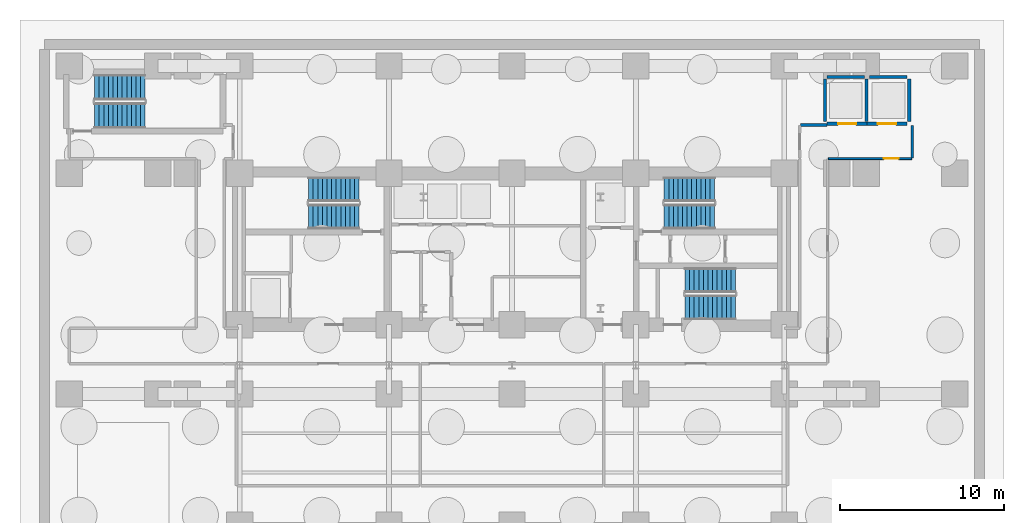
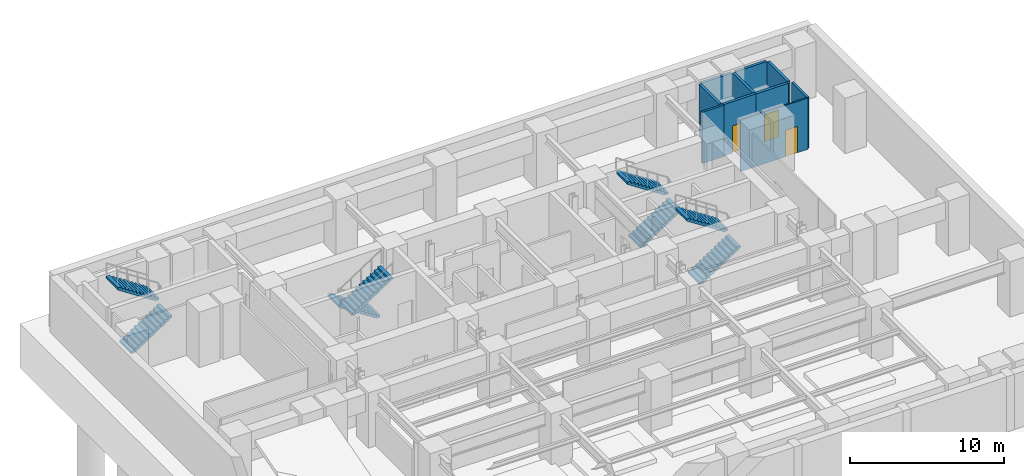
# One storey, part 5 of 9: 10 walls, 8 stair flights, 3 doors, 3 openings, 4 elements without a shape of their own.
"""IFC4 building model written with IfcOpenShell, lengths in metres."""

from ifc_helpers import new_model, si_unit, direction, frame, frame_2d, origin, place, context, subcontext, project, spatial, polyline, rectangle, outline, extrude, material, layer, layer_set, type_object, element, fill, aggregate, save


model = new_model("IFC4")

# Units and contexts
model_context = context("Model", 3, precision=1e-05, world=origin(), true_north=direction((0.0, 1.0)))
body_context = subcontext(model_context, "Body", "Model", "MODEL_VIEW")
ifc_project = project(units=[si_unit("LENGTHUNIT", "METRE"), si_unit("AREAUNIT", "SQUARE_METRE"), si_unit("VOLUMEUNIT", "CUBIC_METRE"), si_unit("PLANEANGLEUNIT", "RADIAN"), si_unit("MASSUNIT", "GRAM", prefix="KILO")], contexts=[model_context])

# Site, building, storey
site_placement = place(None, origin())
site = spatial("IfcSite", under=ifc_project, at=site_placement, CompositionType="ELEMENT")
building_placement = place(site_placement, origin())
building = spatial("IfcBuilding", under=site, at=building_placement, Name="Zarnavel Station Tower", CompositionType="ELEMENT")
storey_placement = place(building_placement, frame((0.0, 0.0, -13.199951171875)))
storey = spatial("IfcBuildingStorey", under=building, at=storey_placement, Name="B03", CompositionType="ELEMENT", Elevation=-13.199951171875)

# Walls
ifc_material_1 = material(Name="Gypsum Twin-Stud Acoustic Fire Partition", Category="concrete")
ifc_layer_1 = layer(ifc_material_1, 0.159912109375)
ifc_layer_set_1 = layer_set([ifc_layer_1], Name="PT_DEMISE_160")
wall_type_1 = type_object("IfcWallType", Name="PT_DEMISE_160", PredefinedType="PARTITIONING", material=ifc_layer_set_1)
wall_1_placement = place(storey_placement, frame((46.3798828125, 40.0, 0.0), z_axis=(0.0, 0.0, 1.0), x_axis=(1.0, 0.0, 0.0)))
element("IfcWall", 1, at=wall_1_placement, inside=storey, type_object=wall_type_1, Name="B03 Enclosure Wall COR-BE", PredefinedType="PARTITIONING", context=body_context, shape_type="SweptSolid", body=[
    extrude(rectangle(XDim=1.64013671875, YDim=0.159912109375, at=frame_2d((0.820068359375, 0.0))), origin(), (0.0, 0.0, 1.0), 4.079833984375),
])
wall_2_placement = place(storey_placement, frame((53.199951171875, 37.97998046875, 0.0), z_axis=(0.0, 0.0, 1.0), x_axis=(0.0, 1.0, 0.0)))
element("IfcWall", 2, at=wall_2_placement, inside=storey, type_object=wall_type_1, Name="B03 Enclosure Wall PLLOB", PredefinedType="PARTITIONING", context=body_context, shape_type="SweptSolid", body=[
    extrude(rectangle(XDim=1.989990234375, YDim=0.159912109375, at=frame_2d((0.9951171875, 0.0))), origin(), (0.0, 0.0, 1.0), 4.079833984375),
])

# Wall, opening, door
ifc_material_2 = material(Name="Gypsum Metal-Stud Interior Partition", Category="concrete")
ifc_layer_2 = layer(ifc_material_2, 0.1201171875)
ifc_layer_set_2 = layer_set([ifc_layer_2], Name="PT_ROOM_120")
wall_type_2 = type_object("IfcWallType", Name="PT_ROOM_120", PredefinedType="PARTITIONING", material=ifc_layer_set_2)
wall_3_placement = place(storey_placement, frame((48.090087890625, 37.949951171875, 0.0), z_axis=(0.0, 0.0, 1.0), x_axis=(1.0, 0.0, 0.0)))
wall_3 = element("IfcWall", 3, at=wall_3_placement, inside=storey, type_object=wall_type_2, Name="B03 Partition PLLOB-CPK-E", PredefinedType="PARTITIONING", context=body_context, shape_type="SweptSolid", body=[
    extrude(rectangle(XDim=5.06982421875, YDim=0.1201171875, at=frame_2d((2.534912109375, 0.0))), origin(), (0.0, 0.0, 1.0), 4.079833984375),
])
opening_1_placement = place(wall_3_placement, frame((3.381591796875, 0.0, 0.0)))
opening_1 = element("IfcOpeningElement", 4, at=opening_1_placement, cuts=wall_3, Name="Opening ID01", PredefinedType="OPENING", context=body_context, shape_type="SweptSolid", body=[
    extrude(rectangle(XDim=0.89990234375, YDim=2.10009765625, at=frame_2d((0.449951171875, 1.050048828125))), frame((0.0, 0.070068359375, 0.0), z_axis=(0.0, -1.0, 0.0), x_axis=(1.0, 0.0, 0.0)), (0.0, 0.0, 1.0), 0.14013671875),
])
ifc_material_3 = material(Name="Painted Galvanised Steel and Hardwood Leaf", Category="steel")
door_type_1 = type_object("IfcDoorType", Name="ID_ROOM_900", OperationType="NOTDEFINED", PredefinedType="DOOR", material=ifc_material_3)
door_1_placement = place(opening_1_placement, origin())
door_1 = element("IfcDoor", 5, at=door_1_placement, inside=storey, type_object=door_type_1, Name="B03 Door PLLOB-CPK-E", OperationType="SINGLE_SWING_RIGHT", OverallHeight=2.10009765625, OverallWidth=0.89990234375, PredefinedType="DOOR", context=body_context, shape_type="SweptSolid", body=[
    extrude(rectangle(XDim=0.89990234375, YDim=2.10009765625, at=frame_2d((0.449951171875, 1.050048828125))), frame((0.0, 0.02490234375, 0.0), z_axis=(0.0, -1.0, 0.0), x_axis=(1.0, 0.0, 0.0)), (0.0, 0.0, 1.0), 0.050048828125),
])
fill(opening_1, door_1)

ifc_material_4 = material(Name="Precast concrete C45/55 (Fire Shaft Blockwork)", Category="masonry")
ifc_layer_3 = layer(ifc_material_4, 0.199951171875)
ifc_layer_set_3 = layer_set([ifc_layer_3], Name="PT_SHAFT_200")
wall_type_3 = type_object("IfcWallType", Name="PT_SHAFT_200", PredefinedType="PARTITIONING", material=ifc_layer_set_3)
wall_4_placement = place(storey_placement, frame((48.02001953125, 40.080078125, 0.0), z_axis=(0.0, 0.0, 1.0), x_axis=(1.0, 0.0, 0.0)))
wall_4 = element("IfcWall", 6, at=wall_4_placement, inside=storey, type_object=wall_type_3, Name="B03 Lift PL-P1 Shaft Front Wall", PredefinedType="PARTITIONING", context=body_context, shape_type="SweptSolid", body=[
    extrude(rectangle(XDim=2.429931640625, YDim=0.199951171875, at=frame_2d((1.21484375, 0.0))), origin(), (0.0, 0.0, 1.0), 4.079833984375),
])
opening_2_placement = place(wall_4_placement, frame((0.6650390625, 0.0, 0.0)))
opening_2 = element("IfcOpeningElement", 7, at=opening_2_placement, cuts=wall_4, Name="Opening LD02", PredefinedType="OPENING", context=body_context, shape_type="SweptSolid", body=[
    extrude(rectangle(XDim=1.10009765625, YDim=2.14990234375, at=frame_2d((0.550048828125, 1.074951171875))), frame((0.0, 0.10986328125, 0.0), z_axis=(0.0, -1.0, 0.0), x_axis=(1.0, 0.0, 0.0)), (0.0, 0.0, 1.0), 0.219970703125),
])
ifc_material_5 = material(Name="Painted Galvanised Steel and Hardwood Leaf", Category="steel")
door_type_2 = type_object("IfcDoorType", Name="LD_PAX_1100", OperationType="DOUBLE_DOOR_SLIDING", PredefinedType="DOOR", material=ifc_material_5)
door_2_placement = place(opening_2_placement, origin())
door_2 = element("IfcDoor", 8, at=door_2_placement, inside=storey, type_object=door_type_2, Name="B03 Lift PL-P1 Sliding Landing Door", OperationType="DOUBLE_DOOR_SLIDING", OverallHeight=2.14990234375, OverallWidth=1.10009765625, PredefinedType="DOOR", context=body_context, shape_type="SweptSolid", body=[
    extrude(rectangle(XDim=1.10009765625, YDim=2.14990234375, at=frame_2d((0.550048828125, 1.074951171875))), frame((0.0, 0.02490234375, 0.0), z_axis=(0.0, -1.0, 0.0), x_axis=(1.0, 0.0, 0.0)), (0.0, 0.0, 1.0), 0.050048828125),
])
fill(opening_2, door_2)

# Walls
wall_5_placement = place(storey_placement, frame((48.0, 42.919921875, 0.0), z_axis=(0.0, 0.0, 1.0), x_axis=(1.0, 0.0, 0.0)))
element("IfcWall", 9, at=wall_5_placement, inside=storey, type_object=wall_type_3, Name="B03 Lift PL-P1 Shaft Wall N", PredefinedType="PARTITIONING", context=body_context, shape_type="SweptSolid", body=[
    extrude(rectangle(XDim=2.300048828125, YDim=0.199951171875, at=frame_2d((1.14990234375, 0.0))), origin(), (0.0, 0.0, 1.0), 4.079833984375),
])
for number, where, z_axis, x_axis, name in (
    (10, (47.8798828125, 40.199951171875, 0.0), (0.0, 0.0, 1.0), (0.0, 1.0, 0.0), "B03 Lift PL-P1 Shaft Wall W"),
    (11, (50.419921875, 40.199951171875, 0.0), (0.0, 0.0, 1.0), (0.0, 1.0, 0.0), "B03 Lift PL-P1 Shaft Wall E"),
):
    element("IfcWall", number, at=place(storey_placement, frame(where, z_axis=z_axis, x_axis=x_axis)), inside=storey, type_object=wall_type_3, Name=name, PredefinedType="PARTITIONING", context=body_context, shape_type="SweptSolid", body=[
        extrude(rectangle(XDim=2.60009765625, YDim=0.199951171875, at=frame_2d((1.300048828125, 0.0))), origin(), (0.0, 0.0, 1.0), 4.079833984375),
    ])

# Wall, opening, door
wall_6_placement = place(storey_placement, frame((50.449951171875, 40.080078125, 0.0), z_axis=(0.0, 0.0, 1.0), x_axis=(1.0, 0.0, 0.0)))
wall_6 = element("IfcWall", 12, at=wall_6_placement, inside=storey, type_object=wall_type_3, Name="B03 Lift PL-P2 Shaft Front Wall", PredefinedType="PARTITIONING", context=body_context, shape_type="SweptSolid", body=[
    extrude(rectangle(XDim=2.429931640625, YDim=0.199951171875, at=frame_2d((1.21484375, 0.0))), origin(), (0.0, 0.0, 1.0), 4.079833984375),
])
opening_3_placement = place(wall_6_placement, frame((0.6650390625, 0.0, 0.0)))
opening_3 = element("IfcOpeningElement", 13, at=opening_3_placement, cuts=wall_6, Name="Opening LD02", PredefinedType="OPENING", context=body_context, shape_type="SweptSolid", body=[
    extrude(rectangle(XDim=1.10009765625, YDim=2.14990234375, at=frame_2d((0.550048828125, 1.074951171875))), frame((0.0, 0.10986328125, 0.0), z_axis=(0.0, -1.0, 0.0), x_axis=(1.0, 0.0, 0.0)), (0.0, 0.0, 1.0), 0.219970703125),
])
door_3_placement = place(opening_3_placement, origin())
door_3 = element("IfcDoor", 14, at=door_3_placement, inside=storey, type_object=door_type_2, Name="B03 Lift PL-P2 Sliding Landing Door", OperationType="DOUBLE_DOOR_SLIDING", OverallHeight=2.14990234375, OverallWidth=1.10009765625, PredefinedType="DOOR", context=body_context, shape_type="SweptSolid", body=[
    extrude(rectangle(XDim=1.10009765625, YDim=2.14990234375, at=frame_2d((0.550048828125, 1.074951171875))), frame((0.0, 0.02490234375, 0.0), z_axis=(0.0, -1.0, 0.0), x_axis=(1.0, 0.0, 0.0)), (0.0, 0.0, 1.0), 0.050048828125),
])
fill(opening_3, door_3)

# Walls
wall_7_placement = place(storey_placement, frame((50.60009765625, 42.919921875, 0.0), z_axis=(0.0, 0.0, 1.0), x_axis=(1.0, 0.0, 0.0)))
element("IfcWall", 15, at=wall_7_placement, inside=storey, type_object=wall_type_3, Name="B03 Lift PL-P2 Shaft Wall N", PredefinedType="PARTITIONING", context=body_context, shape_type="SweptSolid", body=[
    extrude(rectangle(XDim=2.2998046875, YDim=0.199951171875, at=frame_2d((1.14990234375, 0.0))), origin(), (0.0, 0.0, 1.0), 4.079833984375),
])
wall_8_placement = place(storey_placement, frame((53.02001953125, 40.199951171875, 0.0), z_axis=(0.0, 0.0, 1.0), x_axis=(0.0, 1.0, 0.0)))
element("IfcWall", 16, at=wall_8_placement, inside=storey, type_object=wall_type_3, Name="B03 Lift PL-P2 Shaft Wall E", PredefinedType="PARTITIONING", context=body_context, shape_type="SweptSolid", body=[
    extrude(rectangle(XDim=2.60009765625, YDim=0.199951171875, at=frame_2d((1.300048828125, 0.0))), origin(), (0.0, 0.0, 1.0), 4.079833984375),
])

# Stair, stair flights
ifc_material_6 = material(Name="Concrete C45/55", Category="concrete")
stair_type_1 = type_object("IfcStairType", Name="ST_CORE_150", PredefinedType="HALF_TURN_STAIR", material=ifc_material_6)
stair_1_placement = place(storey_placement, origin())
stair_1 = element("IfcStair", 17, at=stair_1_placement, inside=storey, type_object=stair_type_1, Name="B03 Core Exit Stair ST1", PredefinedType="HALF_TURN_STAIR")
ifc_material_7 = material(Name="Concrete C45/55", Category="concrete")
ifc_layer_4 = layer(ifc_material_7, 0.179931640625)
ifc_layer_set_4 = layer_set([ifc_layer_4], Name="ST_CORE_150_FLT")
stair_flight_type_1 = type_object("IfcStairFlightType", Name="ST_CORE_150_FLT", PredefinedType="STRAIGHT", material=ifc_layer_set_4)
stair_flight_1_placement = place(storey_placement, frame((19.47998046875, 36.070068359375, 0.0), z_axis=(0.0, 0.0, 1.0), x_axis=(-1.0, 0.0, 0.0)))
stair_flight_1 = element("IfcStairFlight", 18, at=stair_flight_1_placement, type_object=stair_flight_type_1, Name="ST1 flight 1", NumberOfRisers=12, NumberOfTreads=11, PredefinedType="STRAIGHT", RiserHeight=0.183333333, TreadLength=0.28, context=body_context, shape_type="SweptSolid", body=[
    extrude(outline(polyline([(0.0, 0.0), (0.0, 0.183349609375), (0.280029296875, 0.183349609375), (0.280029296875, 0.36669921875), (0.56005859375, 0.36669921875), (0.56005859375, 0.550048828125), (0.840087890625, 0.550048828125), (0.840087890625, 0.7333984375), (1.1201171875, 0.7333984375), (1.1201171875, 0.916748046875), (1.39990234375, 0.916748046875), (1.39990234375, 1.10009765625), (1.679931640625, 1.10009765625), (1.679931640625, 1.283447265625), (1.9599609375, 1.283447265625), (1.9599609375, 1.466552734375), (2.239990234375, 1.466552734375), (2.239990234375, 1.64990234375), (2.52001953125, 1.64990234375), (2.52001953125, 1.833251953125), (2.800048828125, 1.833251953125), (2.800048828125, 2.0166015625), (3.080078125, 2.0166015625), (3.080078125, 2.199951171875), (3.080078125, 1.83740234375), (0.273681640625, 0.0), (0.0, 0.0)])), frame((0.0, 0.75, 0.0), z_axis=(0.0, -1.0, 0.0), x_axis=(1.0, 0.0, 0.0)), (0.0, 0.0, 1.0), 1.5),
])
stair_flight_2_placement = place(storey_placement, frame((16.39990234375, 34.409912109375, 2.199951171875), z_axis=(0.0, 0.0, 1.0), x_axis=(1.0, 0.0, 0.0)))
stair_flight_2 = element("IfcStairFlight", 19, at=stair_flight_2_placement, type_object=stair_flight_type_1, Name="ST1 flight 2", NumberOfRisers=12, NumberOfTreads=11, PredefinedType="STRAIGHT", RiserHeight=0.183333333, TreadLength=0.28, context=body_context, shape_type="SweptSolid", body=[
    extrude(outline(polyline([(0.0, 0.0), (0.0, 0.183349609375), (0.280029296875, 0.183349609375), (0.280029296875, 0.36669921875), (0.56005859375, 0.36669921875), (0.56005859375, 0.550048828125), (0.840087890625, 0.550048828125), (0.840087890625, 0.7333984375), (1.1201171875, 0.7333984375), (1.1201171875, 0.916748046875), (1.39990234375, 0.916748046875), (1.39990234375, 1.10009765625), (1.679931640625, 1.10009765625), (1.679931640625, 1.283447265625), (1.9599609375, 1.283447265625), (1.9599609375, 1.466552734375), (2.239990234375, 1.466552734375), (2.239990234375, 1.64990234375), (2.52001953125, 1.64990234375), (2.52001953125, 1.833251953125), (2.800048828125, 1.833251953125), (2.800048828125, 2.0166015625), (3.080078125, 2.0166015625), (3.080078125, 2.199951171875), (3.080078125, 1.83740234375), (0.273681640625, 0.0), (0.0, 0.0)])), frame((0.0, 0.75, 0.0), z_axis=(0.0, -1.0, 0.0), x_axis=(1.0, 0.0, 0.0)), (0.0, 0.0, 1.0), 1.5),
])
aggregate(stair_1, [stair_flight_1, stair_flight_2])

stair_2_placement = place(storey_placement, origin())
stair_2 = element("IfcStair", 20, at=stair_2_placement, inside=storey, type_object=stair_type_1, Name="B03 Core Exit Stair ST2", PredefinedType="HALF_TURN_STAIR")
stair_flight_3_placement = place(storey_placement, frame((38.080078125, 34.409912109375, 0.0), z_axis=(0.0, 0.0, 1.0), x_axis=(1.0, 0.0, 0.0)))
stair_flight_3 = element("IfcStairFlight", 21, at=stair_flight_3_placement, type_object=stair_flight_type_1, Name="ST2 flight 1", NumberOfRisers=12, NumberOfTreads=11, PredefinedType="STRAIGHT", RiserHeight=0.183333333, TreadLength=0.28, context=body_context, shape_type="SweptSolid", body=[
    extrude(outline(polyline([(0.0, 0.0), (0.0, 0.183349609375), (0.280029296875, 0.183349609375), (0.280029296875, 0.36669921875), (0.56005859375, 0.36669921875), (0.56005859375, 0.550048828125), (0.840087890625, 0.550048828125), (0.840087890625, 0.7333984375), (1.1201171875, 0.7333984375), (1.1201171875, 0.916748046875), (1.39990234375, 0.916748046875), (1.39990234375, 1.10009765625), (1.679931640625, 1.10009765625), (1.679931640625, 1.283447265625), (1.9599609375, 1.283447265625), (1.9599609375, 1.466552734375), (2.239990234375, 1.466552734375), (2.239990234375, 1.64990234375), (2.52001953125, 1.64990234375), (2.52001953125, 1.833251953125), (2.800048828125, 1.833251953125), (2.800048828125, 2.0166015625), (3.080078125, 2.0166015625), (3.080078125, 2.199951171875), (3.080078125, 1.83740234375), (0.273681640625, 0.0), (0.0, 0.0)])), frame((0.0, 0.75, 0.0), z_axis=(0.0, -1.0, 0.0), x_axis=(1.0, 0.0, 0.0)), (0.0, 0.0, 1.0), 1.5),
])
stair_flight_4_placement = place(storey_placement, frame((41.159912109375, 36.070068359375, 2.199951171875), z_axis=(0.0, 0.0, 1.0), x_axis=(-1.0, 0.0, 0.0)))
stair_flight_4 = element("IfcStairFlight", 22, at=stair_flight_4_placement, type_object=stair_flight_type_1, Name="ST2 flight 2", NumberOfRisers=12, NumberOfTreads=11, PredefinedType="STRAIGHT", RiserHeight=0.183333333, TreadLength=0.28, context=body_context, shape_type="SweptSolid", body=[
    extrude(outline(polyline([(0.0, 0.0), (0.0, 0.183349609375), (0.280029296875, 0.183349609375), (0.280029296875, 0.36669921875), (0.56005859375, 0.36669921875), (0.56005859375, 0.550048828125), (0.840087890625, 0.550048828125), (0.840087890625, 0.7333984375), (1.1201171875, 0.7333984375), (1.1201171875, 0.916748046875), (1.39990234375, 0.916748046875), (1.39990234375, 1.10009765625), (1.679931640625, 1.10009765625), (1.679931640625, 1.283447265625), (1.9599609375, 1.283447265625), (1.9599609375, 1.466552734375), (2.239990234375, 1.466552734375), (2.239990234375, 1.64990234375), (2.52001953125, 1.64990234375), (2.52001953125, 1.833251953125), (2.800048828125, 1.833251953125), (2.800048828125, 2.0166015625), (3.080078125, 2.0166015625), (3.080078125, 2.199951171875), (3.080078125, 1.83740234375), (0.273681640625, 0.0), (0.0, 0.0)])), frame((0.0, 0.75, 0.0), z_axis=(0.0, -1.0, 0.0), x_axis=(1.0, 0.0, 0.0)), (0.0, 0.0, 1.0), 1.5),
])
aggregate(stair_2, [stair_flight_3, stair_flight_4])

stair_3_placement = place(storey_placement, origin())
stair_3 = element("IfcStair", 23, at=stair_3_placement, inside=storey, type_object=stair_type_1, Name="B03 Core Exit Stair ST3", PredefinedType="HALF_TURN_STAIR")
stair_flight_5_placement = place(storey_placement, frame((39.35009765625, 28.8701171875, 0.0), z_axis=(0.0, 0.0, 1.0), x_axis=(1.0, 0.0, 0.0)))
stair_flight_5 = element("IfcStairFlight", 24, at=stair_flight_5_placement, type_object=stair_flight_type_1, Name="ST3 flight 1", NumberOfRisers=12, NumberOfTreads=11, PredefinedType="STRAIGHT", RiserHeight=0.183333333, TreadLength=0.28, context=body_context, shape_type="SweptSolid", body=[
    extrude(outline(polyline([(0.0, 0.0), (0.0, 0.183349609375), (0.280029296875, 0.183349609375), (0.280029296875, 0.36669921875), (0.56005859375, 0.36669921875), (0.56005859375, 0.550048828125), (0.840087890625, 0.550048828125), (0.840087890625, 0.7333984375), (1.1201171875, 0.7333984375), (1.1201171875, 0.916748046875), (1.39990234375, 0.916748046875), (1.39990234375, 1.10009765625), (1.679931640625, 1.10009765625), (1.679931640625, 1.283447265625), (1.9599609375, 1.283447265625), (1.9599609375, 1.466552734375), (2.239990234375, 1.466552734375), (2.239990234375, 1.64990234375), (2.52001953125, 1.64990234375), (2.52001953125, 1.833251953125), (2.800048828125, 1.833251953125), (2.800048828125, 2.0166015625), (3.080078125, 2.0166015625), (3.080078125, 2.199951171875), (3.080078125, 1.83740234375), (0.273681640625, 0.0), (0.0, 0.0)])), frame((0.0, 0.75, 0.0), z_axis=(0.0, -1.0, 0.0), x_axis=(1.0, 0.0, 0.0)), (0.0, 0.0, 1.0), 1.5),
])
stair_flight_6_placement = place(storey_placement, frame((42.429931640625, 30.530029296875, 2.199951171875), z_axis=(0.0, 0.0, 1.0), x_axis=(-1.0, 0.0, 0.0)))
stair_flight_6 = element("IfcStairFlight", 25, at=stair_flight_6_placement, type_object=stair_flight_type_1, Name="ST3 flight 2", NumberOfRisers=12, NumberOfTreads=11, PredefinedType="STRAIGHT", RiserHeight=0.183333333, TreadLength=0.28, context=body_context, shape_type="SweptSolid", body=[
    extrude(outline(polyline([(0.0, 0.0), (0.0, 0.183349609375), (0.280029296875, 0.183349609375), (0.280029296875, 0.36669921875), (0.56005859375, 0.36669921875), (0.56005859375, 0.550048828125), (0.840087890625, 0.550048828125), (0.840087890625, 0.7333984375), (1.1201171875, 0.7333984375), (1.1201171875, 0.916748046875), (1.39990234375, 0.916748046875), (1.39990234375, 1.10009765625), (1.679931640625, 1.10009765625), (1.679931640625, 1.283447265625), (1.9599609375, 1.283447265625), (1.9599609375, 1.466552734375), (2.239990234375, 1.466552734375), (2.239990234375, 1.64990234375), (2.52001953125, 1.64990234375), (2.52001953125, 1.833251953125), (2.800048828125, 1.833251953125), (2.800048828125, 2.0166015625), (3.080078125, 2.0166015625), (3.080078125, 2.199951171875), (3.080078125, 1.83740234375), (0.273681640625, 0.0), (0.0, 0.0)])), frame((0.0, 0.75, 0.0), z_axis=(0.0, -1.0, 0.0), x_axis=(1.0, 0.0, 0.0)), (0.0, 0.0, 1.0), 1.5),
])
aggregate(stair_3, [stair_flight_5, stair_flight_6])

ifc_material_8 = material(Name="Concrete C45/55", Category="concrete")
stair_type_2 = type_object("IfcStairType", Name="ST_POD_155", PredefinedType="HALF_TURN_STAIR", material=ifc_material_8)
stair_4_placement = place(storey_placement, origin())
stair_4 = element("IfcStair", 26, at=stair_4_placement, inside=storey, type_object=stair_type_2, Name="B03 Core Exit Stair ST4", PredefinedType="HALF_TURN_STAIR")
ifc_material_9 = material(Name="Concrete C45/55", Category="concrete")
ifc_layer_5 = layer(ifc_material_9, 0.179931640625)
ifc_layer_set_5 = layer_set([ifc_layer_5], Name="ST_POD_155_FLT")
stair_flight_type_2 = type_object("IfcStairFlightType", Name="ST_POD_155_FLT", PredefinedType="STRAIGHT", material=ifc_layer_set_5)
stair_flight_7_placement = place(storey_placement, frame((3.35009765625, 40.574951171875, 0.0), z_axis=(0.0, 0.0, 1.0), x_axis=(1.0, 0.0, 0.0)))
stair_flight_7 = element("IfcStairFlight", 27, at=stair_flight_7_placement, type_object=stair_flight_type_2, Name="ST4 flight 1", NumberOfRisers=12, NumberOfTreads=11, PredefinedType="STRAIGHT", RiserHeight=0.183333333, TreadLength=0.28, context=body_context, shape_type="SweptSolid", body=[
    extrude(outline(polyline([(0.0, 0.0), (0.0, 0.183349609375), (0.280029296875, 0.183349609375), (0.280029296875, 0.36669921875), (0.56005859375, 0.36669921875), (0.56005859375, 0.550048828125), (0.840087890625, 0.550048828125), (0.840087890625, 0.7333984375), (1.1201171875, 0.7333984375), (1.1201171875, 0.916748046875), (1.39990234375, 0.916748046875), (1.39990234375, 1.10009765625), (1.679931640625, 1.10009765625), (1.679931640625, 1.283447265625), (1.9599609375, 1.283447265625), (1.9599609375, 1.466552734375), (2.239990234375, 1.466552734375), (2.239990234375, 1.64990234375), (2.52001953125, 1.64990234375), (2.52001953125, 1.833251953125), (2.800048828125, 1.833251953125), (2.800048828125, 2.0166015625), (3.080078125, 2.0166015625), (3.080078125, 2.199951171875), (3.080078125, 1.83740234375), (0.273681640625, 0.0), (0.0, 0.0)])), frame((0.0, 0.77490234375, 0.0), z_axis=(0.0, -1.0, 0.0), x_axis=(1.0, 0.0, 0.0)), (0.0, 0.0, 1.0), 1.550048828125),
])
stair_flight_8_placement = place(storey_placement, frame((6.429931640625, 42.284912109375, 2.199951171875), z_axis=(0.0, 0.0, 1.0), x_axis=(-1.0, 0.0, 0.0)))
stair_flight_8 = element("IfcStairFlight", 28, at=stair_flight_8_placement, type_object=stair_flight_type_2, Name="ST4 flight 2", NumberOfRisers=12, NumberOfTreads=11, PredefinedType="STRAIGHT", RiserHeight=0.183333333, TreadLength=0.28, context=body_context, shape_type="SweptSolid", body=[
    extrude(outline(polyline([(0.0, 0.0), (0.0, 0.183349609375), (0.280029296875, 0.183349609375), (0.280029296875, 0.36669921875), (0.56005859375, 0.36669921875), (0.56005859375, 0.550048828125), (0.840087890625, 0.550048828125), (0.840087890625, 0.7333984375), (1.1201171875, 0.7333984375), (1.1201171875, 0.916748046875), (1.39990234375, 0.916748046875), (1.39990234375, 1.10009765625), (1.679931640625, 1.10009765625), (1.679931640625, 1.283447265625), (1.9599609375, 1.283447265625), (1.9599609375, 1.466552734375), (2.239990234375, 1.466552734375), (2.239990234375, 1.64990234375), (2.52001953125, 1.64990234375), (2.52001953125, 1.833251953125), (2.800048828125, 1.833251953125), (2.800048828125, 2.0166015625), (3.080078125, 2.0166015625), (3.080078125, 2.199951171875), (3.080078125, 1.83740234375), (0.273681640625, 0.0), (0.0, 0.0)])), frame((0.0, 0.77490234375, 0.0), z_axis=(0.0, -1.0, 0.0), x_axis=(1.0, 0.0, 0.0)), (0.0, 0.0, 1.0), 1.550048828125),
])
aggregate(stair_4, [stair_flight_7, stair_flight_8])

save(model, "model.ifc")
